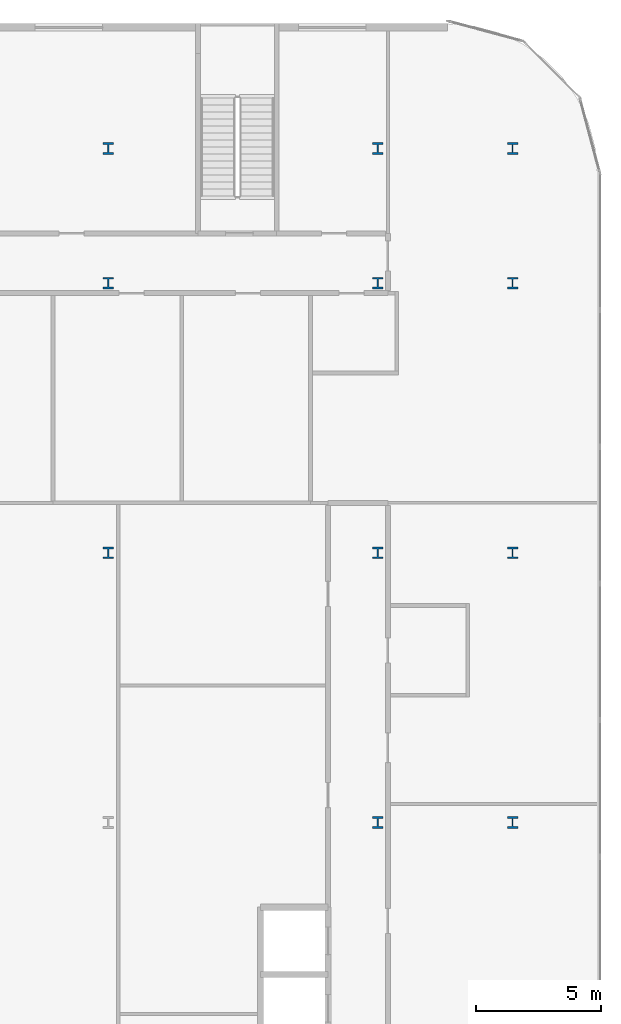
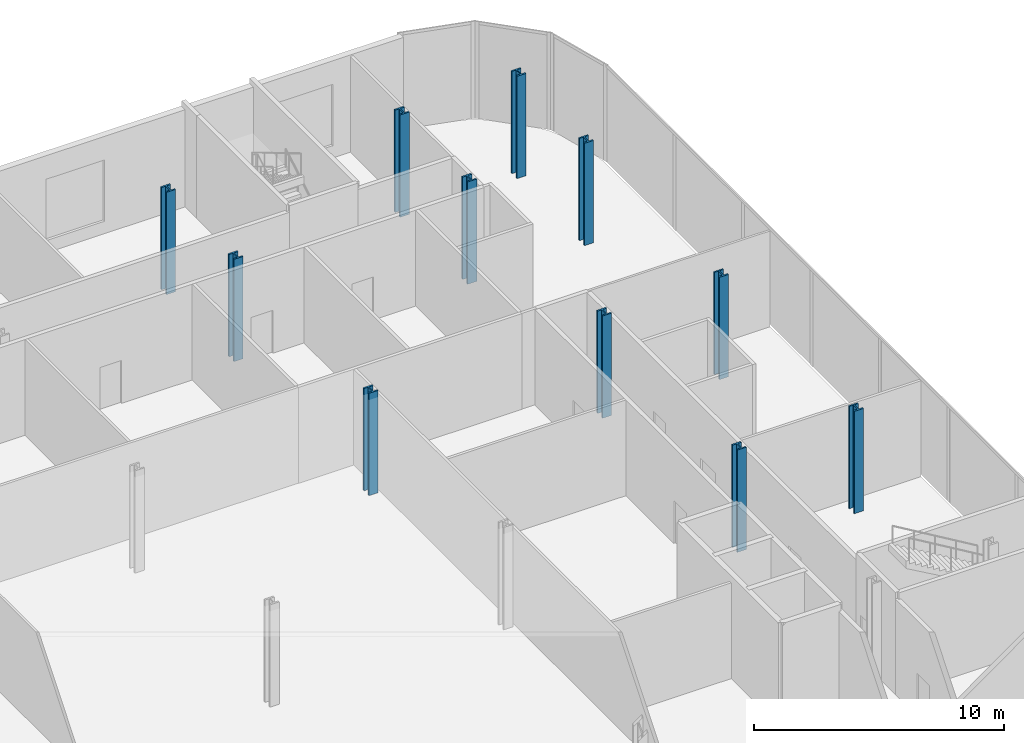
# One storey, part 4 of 47: 11 columns.
"""IFC4 building model written with IfcOpenShell, lengths in metres."""

from ifc_helpers import new_model, si_unit, direction, frame, origin, origin_2d, place, context, subcontext, project, spatial, i_section, extrude, material, material_profile, profile_set, type_object, element, save


model = new_model("IFC4")

# Units and contexts
model_context = context("Model", 3, precision=1e-05, world=origin(), true_north=direction((0.0, 1.0)))
body_context = subcontext(model_context, "Body", "Model", "MODEL_VIEW")
ifc_project = project(units=[si_unit("LENGTHUNIT", "METRE"), si_unit("AREAUNIT", "SQUARE_METRE"), si_unit("VOLUMEUNIT", "CUBIC_METRE"), si_unit("PLANEANGLEUNIT", "RADIAN"), si_unit("MASSUNIT", "GRAM", prefix="KILO")], contexts=[model_context])

# Site, building, storey
site_placement = place(None, origin())
site = spatial("IfcSite", under=ifc_project, at=site_placement, CompositionType="ELEMENT")
building_placement = place(site_placement, origin())
building = spatial("IfcBuilding", under=site, at=building_placement, Name="Kheshtan School and Residences Tower", CompositionType="ELEMENT")
storey_placement = place(building_placement, frame((0.0, 0.0, 7.5)))
storey = spatial("IfcBuildingStorey", under=building, at=storey_placement, Name="L01", CompositionType="ELEMENT", Elevation=7.5)

# Columns
ifc_material = material(Name="Steel ASTM A992 Grade 50", Category="steel")
ifc_material_profile = material_profile(ifc_material, i_section(OverallWidth=0.424072265625, OverallDepth=0.47412109375, WebThickness=0.047607421875, FlangeThickness=0.0771484375, FilletRadius=0.01416015625, at=origin_2d()), Name="W360x634")
ifc_profile_set = profile_set([ifc_material_profile], Name="Steel ASTM A992 Grade 50")
column_type = type_object("IfcColumnType", Name="Column PC1 W360x634 ASTM A992 Grade 50", PredefinedType="COLUMN", material=ifc_profile_set)
for number, where, z_axis, x_axis, name in (
    (1, (123.199951171875, 78.0, 0.0), (0.0, 0.0, 1.0), (1.0, 0.0, 0.0), "Column P-083"),
    (2, (128.60009765625, 78.0, 0.0), (0.0, 0.0, 1.0), (1.0, 0.0, 0.0), "Column P-084"),
    (3, (112.39990234375, 88.800048828125, 0.0), (0.0, 0.0, 1.0), (1.0, 0.0, 0.0), "Column P-094"),
    (4, (123.199951171875, 88.800048828125, 0.0), (0.0, 0.0, 1.0), (1.0, 0.0, 0.0), "Column P-095"),
    (5, (128.60009765625, 88.800048828125, 0.0), (0.0, 0.0, 1.0), (1.0, 0.0, 0.0), "Column P-096"),
    (6, (112.39990234375, 99.60009765625, 0.0), (0.0, 0.0, 1.0), (1.0, 0.0, 0.0), "Column P-106"),
    (7, (123.199951171875, 99.60009765625, 0.0), (0.0, 0.0, 1.0), (1.0, 0.0, 0.0), "Column P-107"),
    (8, (128.60009765625, 99.60009765625, 0.0), (0.0, 0.0, 1.0), (1.0, 0.0, 0.0), "Column P-108"),
    (9, (112.39990234375, 105.0, 0.0), (0.0, 0.0, 1.0), (1.0, 0.0, 0.0), "Column P-118"),
    (10, (123.199951171875, 105.0, 0.0), (0.0, 0.0, 1.0), (1.0, 0.0, 0.0), "Column P-119"),
    (11, (128.60009765625, 105.0, 0.0), (0.0, 0.0, 1.0), (1.0, 0.0, 0.0), "Column P-120"),
):
    element("IfcColumn", number, at=place(storey_placement, frame(where, z_axis=z_axis, x_axis=x_axis)), inside=storey, type_object=column_type, Name=name, PredefinedType="COLUMN", context=body_context, shape_type="SweptSolid", body=[
        extrude(i_section(OverallWidth=0.424072265625, OverallDepth=0.47412109375, WebThickness=0.047607421875, FlangeThickness=0.0771484375, FilletRadius=0.01416015625, at=origin_2d()), origin(), (0.0, 0.0, 1.0), 5.0),
    ])

save(model, "model.ifc")
